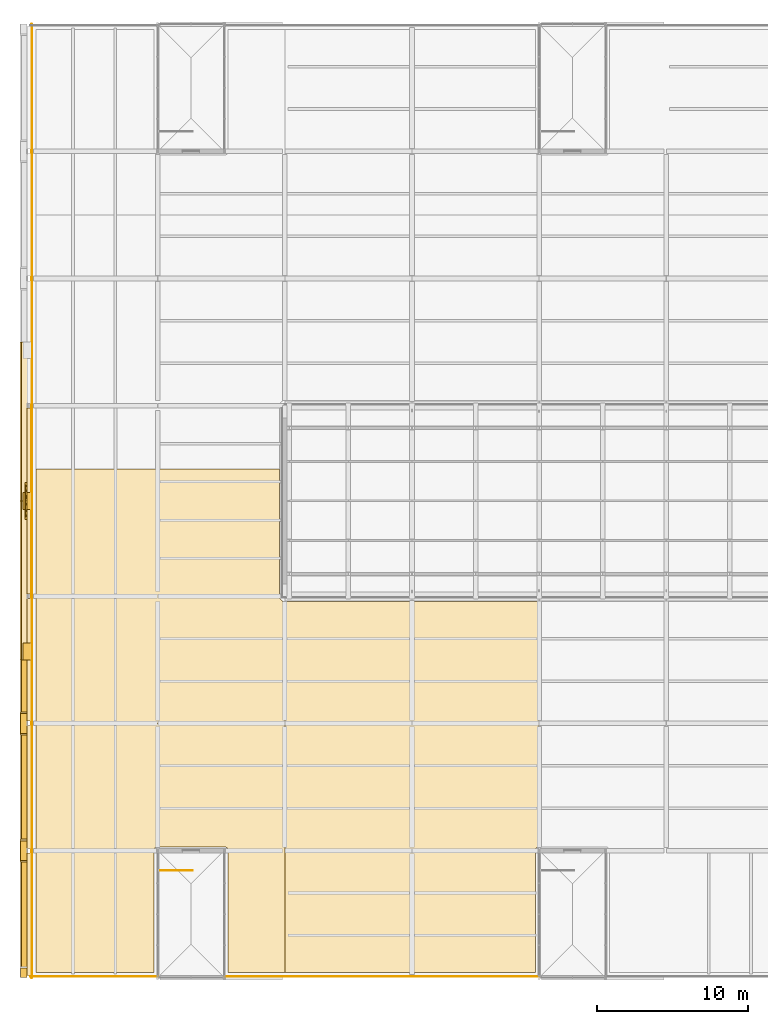
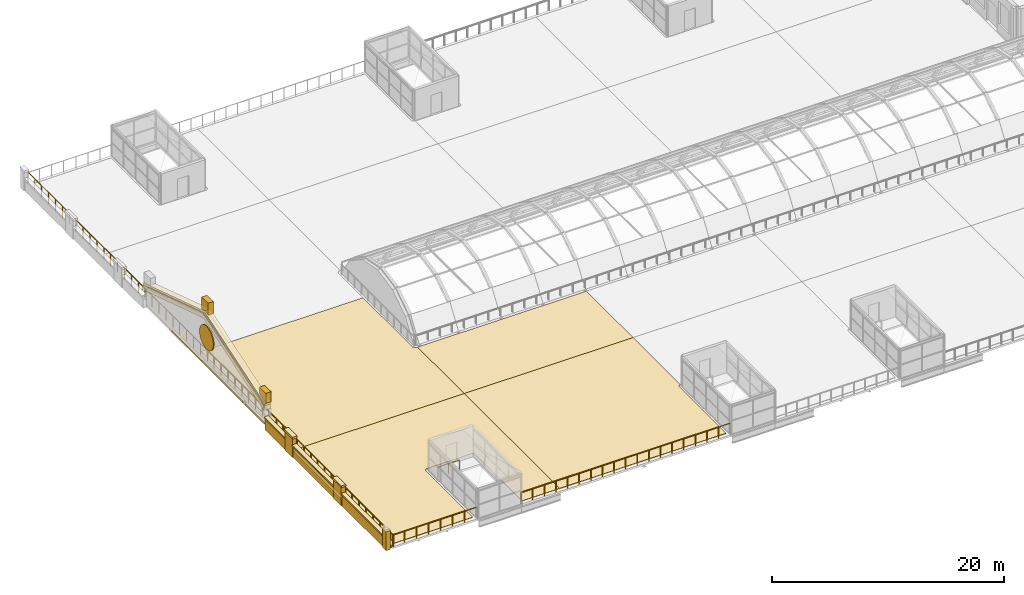
# One storey, part 50 of 58: 24 coverings, 4 railings.
"""IFC4 building model written with IfcOpenShell, lengths in metres."""

import ifcopenshell
import ifcopenshell.guid

model = None  # the IFC model being written
_history = None  # IfcOwnerHistory: only IFC2X3 demands one
_inside = {}  # id of a spatial element -> (the spatial element, [elements in it])
_under = {}  # id of a project, library or spatial element -> (it, [spatial elements below it])
_declared = {}  # id of a project -> (the project, [libraries it declares])
_typed = {}  # id of a type object -> (the type object, [elements of that type])
_made_of = {}  # id of a material, layer set ... -> (it, [elements and type objects made of it])


def new_model(schema):
    """Start an empty IFC model of exactly this schema.

    Asked for "IFC4X3", IfcOpenShell would pick the latest addendum, in which some entities
    have other attributes; the version numbers below select the first issue.
    IFC2X3 requires an IfcOwnerHistory on every rooted entity: one is made here for all.
    """
    global model, _history
    if schema == "IFC4X3":
        model = ifcopenshell.file(schema_version=(4, 3, 0, 0))
    else:
        model = ifcopenshell.file(schema=schema)
    _inside.clear()
    _under.clear()
    _declared.clear()
    _typed.clear()
    _made_of.clear()
    _history = None
    if model.schema == "IFC2X3":
        org = make("IfcOrganization", Name="unknown")
        user = make(
            "IfcPersonAndOrganization",
            ThePerson=make("IfcPerson", FamilyName="unknown"),
            TheOrganization=org,
        )
        app = make(
            "IfcApplication",
            ApplicationDeveloper=org,
            Version="unknown",
            ApplicationFullName="unknown",
            ApplicationIdentifier="unknown",
        )
        _history = make(
            "IfcOwnerHistory",
            OwningUser=user,
            OwningApplication=app,
            ChangeAction="ADDED",
            CreationDate=0,
        )
    return model


def make(cls, **values):
    """One entity of the class cls with the attributes given. An attribute that is None is left unset."""
    return model.create_entity(
        cls, **{name: value for name, value in values.items() if value is not None}
    )


def rooted(cls, **values):
    """An entity with a GlobalId (a new one), such as an element, a storey or a relation."""
    return make(cls, GlobalId=ifcopenshell.guid.new(), OwnerHistory=_history, **values)


def si_unit(unit_type, name, prefix=None):
    """IfcSIUnit, for example si_unit("LENGTHUNIT", "METRE", prefix="MILLI")."""
    return make("IfcSIUnit", UnitType=unit_type, Prefix=prefix, Name=name)


def assignment(units):
    """IfcUnitAssignment: the units of a project."""
    return None if units is None else make("IfcUnitAssignment", Units=units)


def point(xyz):
    """IfcCartesianPoint."""
    return None if xyz is None else make("IfcCartesianPoint", Coordinates=xyz)


def direction(xyz):
    """IfcDirection."""
    return None if xyz is None else make("IfcDirection", DirectionRatios=xyz)


def frame(location, z_axis=None, x_axis=None):
    """IfcAxis2Placement3D, a coordinate frame: its origin and axes. An axis left out is left unset."""
    return make(
        "IfcAxis2Placement3D",
        Location=point(location),
        Axis=direction(z_axis),
        RefDirection=direction(x_axis),
    )


def frame_2d(location, x_axis=None):
    """IfcAxis2Placement2D, a coordinate frame in the plane: its origin and x axis."""
    return make(
        "IfcAxis2Placement2D", Location=point(location), RefDirection=direction(x_axis)
    )


def origin():
    """The frame at (0, 0, 0) with its axes left unset."""
    return frame((0.0, 0.0, 0.0))


def origin_2d():
    """The frame at (0, 0) in the plane with its x axis left unset."""
    return frame_2d((0.0, 0.0))


def place(relative_to, where):
    """IfcLocalPlacement: puts the frame where relative to a parent placement (None: the world)."""
    return make(
        "IfcLocalPlacement", PlacementRelTo=relative_to, RelativePlacement=where
    )


def context(
    kind, dimensions, precision=None, world=None, true_north=None, identifier=None
):
    """IfcGeometricRepresentationContext, for example the 3D "Model" context."""
    return make(
        "IfcGeometricRepresentationContext",
        ContextIdentifier=identifier,
        ContextType=kind,
        CoordinateSpaceDimension=dimensions,
        Precision=precision,
        WorldCoordinateSystem=world,
        TrueNorth=true_north,
    )


def subcontext(parent, identifier, kind, view, scale=None):
    """IfcGeometricRepresentationSubContext, for example "Body" below "Model"."""
    return make(
        "IfcGeometricRepresentationSubContext",
        ContextIdentifier=identifier,
        ContextType=kind,
        ParentContext=parent,
        TargetScale=scale,
        TargetView=view,
    )


def project(units=None, contexts=None):
    """IfcProject with its units and contexts."""
    return rooted(
        "IfcProject",
        Name="project",
        RepresentationContexts=contexts,
        UnitsInContext=assignment(units),
    )


def spatial(cls, under=None, at=None, **own):
    """A site, building, storey or space (cls), placed at a placement, below another one or the project."""
    s = rooted(cls, ObjectPlacement=at, **own)
    if under is not None:
        _under.setdefault(under.id(), (under, []))[1].append(s)
    return s


def polyline(points):
    """IfcPolyline through the points."""
    return make("IfcPolyline", Points=[point(p) for p in points])


def profile(cls, at=None, kind="AREA", **sizes):
    """A parametric profile (cls). Its sizes go by their IFC names, for example OverallWidth=200.0."""
    return make(cls, ProfileType=kind, Position=at, **sizes)


def rectangle(**sizes):
    """IfcRectangleProfileDef."""
    return profile("IfcRectangleProfileDef", **sizes)


def circle(**sizes):
    """IfcCircleProfileDef."""
    return profile("IfcCircleProfileDef", **sizes)


def outline(outer, holes=None, kind="AREA"):
    """IfcArbitraryClosedProfileDef: a profile drawn as a closed curve; with holes, ...WithVoids."""
    if holes is None:
        return make("IfcArbitraryClosedProfileDef", ProfileType=kind, OuterCurve=outer)
    return make(
        "IfcArbitraryProfileDefWithVoids",
        ProfileType=kind,
        OuterCurve=outer,
        InnerCurves=holes,
    )


def extrude(swept, where, along, depth):
    """IfcExtrudedAreaSolid: the profile swept, set in the frame where, extruded along a direction by depth."""
    return make(
        "IfcExtrudedAreaSolid",
        SweptArea=swept,
        Position=where,
        ExtrudedDirection=direction(along),
        Depth=depth,
    )


def shape(context_of_items, identifier, shape_type, items):
    """IfcShapeRepresentation: the items that make up one representation, for example the "Body"."""
    return make(
        "IfcShapeRepresentation",
        ContextOfItems=context_of_items,
        RepresentationIdentifier=identifier,
        RepresentationType=shape_type,
        Items=items,
    )


def material(Name=None, Category=None):
    """IfcMaterial."""
    return make("IfcMaterial", Name=Name, Category=Category)


def layer(
    of_material, thickness, ventilated=None, Name=None, Category=None, Priority=None
):
    """IfcMaterialLayer: one layer of a wall or slab, of a material (None: an air gap)."""
    return make(
        "IfcMaterialLayer",
        Material=of_material,
        LayerThickness=thickness,
        IsVentilated=ventilated,
        Name=Name,
        Category=Category,
        Priority=Priority,
    )


def layer_set(layers, Name=None):
    """IfcMaterialLayerSet."""
    return make("IfcMaterialLayerSet", MaterialLayers=layers, LayerSetName=Name)


def made_of(thing, what):
    """Note that an element or type object is made of a material, layer set ...; save() writes the relation."""
    if what is not None:
        _made_of.setdefault(what.id(), (what, []))[1].append(thing)
    return thing


def type_object(cls, material=None, **own):
    """A type object (cls), such as IfcWallType, which elements share."""
    return made_of(rooted(cls, **own), material)


def element(
    cls,
    number,
    at=None,
    inside=None,
    cuts=None,
    type_object=None,
    material=None,
    context=None,
    identifier="Body",
    shape_type=None,
    held_by="IfcProductDefinitionShape",
    body=None,
    shapes=None,
    **own,
):
    """One element of the class cls, such as IfcWall. Its Tag is "e" and its number.

    at: its placement. inside: the storey or other place that contains it. cuts: it is an
    opening in that element (IfcRelVoidsElement). A single representation is given by context,
    identifier, shape_type and body (its items); several are given by shapes. held_by: the class
    of the entity that holds the representations. save() writes the other relations.
    """
    e = rooted(cls, Tag="e%d" % number, ObjectPlacement=at, **own)
    if body is not None:
        shapes = [shape(context, identifier, shape_type, body)]
    if shapes is not None:
        e.Representation = make(held_by, Representations=shapes)
    if inside is not None:
        _inside.setdefault(inside.id(), (inside, []))[1].append(e)
    if cuts is not None:
        rooted(
            "IfcRelVoidsElement", RelatingBuildingElement=cuts, RelatedOpeningElement=e
        )
    if type_object is not None:
        _typed.setdefault(type_object.id(), (type_object, []))[1].append(e)
    return made_of(e, material)


def aggregate(whole, parts):
    """IfcRelAggregates: a whole, such as a stair, and the parts it consists of."""
    return rooted("IfcRelAggregates", RelatingObject=whole, RelatedObjects=parts)


def save(model, path):
    """Write the relations noted so far, then the file.

    IfcRelAggregates (storeys below a building ...), IfcRelContainedInSpatialStructure (elements
    in a storey), IfcRelDefinesByType, IfcRelAssociatesMaterial and IfcRelDeclares: one each for
    every whole, place, type object, material and project.
    """
    for whole, parts in _under.values():
        aggregate(whole, parts)
    for where, things in _inside.values():
        rooted(
            "IfcRelContainedInSpatialStructure",
            RelatedElements=things,
            RelatingStructure=where,
        )
    for kind, things in _typed.values():
        rooted("IfcRelDefinesByType", RelatedObjects=things, RelatingType=kind)
    for what, things in _made_of.values():
        rooted("IfcRelAssociatesMaterial", RelatedObjects=things, RelatingMaterial=what)
    for by, libraries in _declared.values():
        rooted("IfcRelDeclares", RelatingContext=by, RelatedDefinitions=libraries)
    model.write(path)


model = new_model("IFC4")

# Units and contexts
model_context = context("Model", 3, precision=1e-05, world=origin(), true_north=direction((0.0, 1.0)))
body_context = subcontext(model_context, "Body", "Model", "MODEL_VIEW")
ifc_project = project(units=[si_unit("LENGTHUNIT", "METRE"), si_unit("AREAUNIT", "SQUARE_METRE"), si_unit("VOLUMEUNIT", "CUBIC_METRE"), si_unit("PLANEANGLEUNIT", "RADIAN"), si_unit("MASSUNIT", "GRAM", prefix="KILO")], contexts=[model_context])

# Site, building, storey
site_placement = place(None, origin())
site = spatial("IfcSite", under=ifc_project, at=site_placement, CompositionType="ELEMENT")
building_placement = place(site_placement, origin())
building = spatial("IfcBuilding", under=site, at=building_placement, Name="Galleria Vessillo Department Store", CompositionType="ELEMENT")
storey_placement = place(building_placement, frame((0.0, 0.0, 31.199951171875)))
storey = spatial("IfcBuildingStorey", under=building, at=storey_placement, Name="L06", CompositionType="ELEMENT", Elevation=31.199951171875)

# Coverings
ifc_material_1 = material(Name="Botticino limestone ashlar", Category="masonry")
ifc_layer_1 = layer(ifc_material_1, 0.530029296875)
ifc_layer_set_1 = layer_set([ifc_layer_1], Name="Botticino limestone ashlar")
covering_type_1 = type_object("IfcCoveringType", Name="Limestone acroterion block 1100 x 530", PredefinedType="CLADDING", material=ifc_layer_set_1)
covering_1_placement = place(storey_placement, frame((-0.5, 0.0, 0.0), z_axis=(1.0, 0.0, 0.0), x_axis=(0.0, 1.0, 0.0)))
element("IfcCovering", 1, at=covering_1_placement, inside=storey, type_object=covering_type_1, Name="Acroterion West Street pediment apex", PredefinedType="CLADDING", context=body_context, shape_type="SweptSolid", body=[
    extrude(outline(polyline([(30.949951171875, 5.721923828125), (31.5, 5.89990234375), (32.050048828125, 5.721923828125), (32.050048828125, 7.0), (30.949951171875, 7.0), (30.949951171875, 5.721923828125)])), origin(), (0.0, 0.0, 1.0), 0.530029296875),
])
covering_2_placement = place(storey_placement, frame((-0.5, 0.0, 0.0), z_axis=(1.0, 0.0, 0.0), x_axis=(0.0, 1.0, 0.0)))
element("IfcCovering", 2, at=covering_2_placement, inside=storey, type_object=covering_type_1, Name="Acroterion West Street pediment corner S", PredefinedType="CLADDING", context=body_context, shape_type="SweptSolid", body=[
    extrude(outline(polyline([(21.0, 2.5), (22.10009765625, 2.856201171875), (22.10009765625, 3.55615234375), (21.0, 3.55615234375), (21.0, 2.5)])), origin(), (0.0, 0.0, 1.0), 0.530029296875),
])
ifc_material_2 = material(Name="Botticino limestone ashlar", Category="masonry")
ifc_layer_2 = layer(ifc_material_2, 0.409912109375)
ifc_layer_set_2 = layer_set([ifc_layer_2], Name="Botticino limestone ashlar")
covering_type_2 = type_object("IfcCoveringType", Name="Limestone attic pier 1300 x 410 x 2000", PredefinedType="CLADDING", material=ifc_layer_set_2)
covering_3_placement = place(storey_placement, frame((-0.455078125, 0.324951171875, -0.199951171875), z_axis=(0.0, 0.0, 1.0), x_axis=(1.0, 0.0, 0.0)))
element("IfcCovering", 3, at=covering_3_placement, inside=storey, type_object=covering_type_2, Name="Attic pier W y=0.0", PredefinedType="CLADDING", context=body_context, shape_type="SweptSolid", body=[
    extrude(rectangle(XDim=0.409912109375, YDim=0.64990234375, at=origin_2d()), origin(), (0.0, 0.0, 1.0), 2.0),
])
for number, where, z_axis, x_axis, name in (
    (4, (-0.455078125, 8.39990234375, -0.199951171875), (0.0, 0.0, 1.0), (1.0, 0.0, 0.0), "Attic pier W y=8.4"),
    (5, (-0.455078125, 16.800048828125, -0.199951171875), (0.0, 0.0, 1.0), (1.0, 0.0, 0.0), "Attic pier W y=16.8"),
):
    element("IfcCovering", number, at=place(storey_placement, frame(where, z_axis=z_axis, x_axis=x_axis)), inside=storey, type_object=covering_type_2, Name=name, PredefinedType="CLADDING", context=body_context, shape_type="SweptSolid", body=[
        extrude(rectangle(XDim=0.409912109375, YDim=1.300048828125, at=origin_2d()), origin(), (0.0, 0.0, 1.0), 2.0),
    ])
ifc_material_3 = material(Name="Botticino limestone ashlar", Category="masonry")
ifc_layer_3 = layer(ifc_material_3, 0.35009765625)
ifc_layer_set_3 = layer_set([ifc_layer_3], Name="Botticino limestone ashlar")
covering_type_3 = type_object("IfcCoveringType", Name="Limestone blocking course 350 x 1200", PredefinedType="CLADDING", material=ifc_layer_set_3)
covering_4_placement = place(storey_placement, frame((-0.425048828125, 4.199951171875, -0.19970703125), z_axis=(0.0, 0.0, 1.0), x_axis=(1.0, 0.0, 0.0)))
element("IfcCovering", 6, at=covering_4_placement, inside=storey, type_object=covering_type_3, Name="Blocking course W y=0.7-7.7", PredefinedType="CLADDING", context=body_context, shape_type="SweptSolid", body=[
    extrude(rectangle(XDim=0.35009765625, YDim=7.099853515625, at=origin_2d()), origin(), (0.0, 0.0, 1.0), 1.199951171875),
])
covering_5_placement = place(storey_placement, frame((-0.425048828125, 12.599853515625, -0.19970703125), z_axis=(0.0, 0.0, 1.0), x_axis=(1.0, 0.0, 0.0)))
element("IfcCovering", 7, at=covering_5_placement, inside=storey, type_object=covering_type_3, Name="Blocking course W y=9.0-16.2", PredefinedType="CLADDING", context=body_context, shape_type="SweptSolid", body=[
    extrude(rectangle(XDim=0.35009765625, YDim=7.10009765625, at=origin_2d()), origin(), (0.0, 0.0, 1.0), 1.199951171875),
])
covering_6_placement = place(storey_placement, frame((-0.425048828125, 19.22509765625, -0.19970703125), z_axis=(0.0, 0.0, 1.0), x_axis=(1.0, 0.0, 0.0)))
element("IfcCovering", 8, at=covering_6_placement, inside=storey, type_object=covering_type_3, Name="Blocking course W y=17.4-21.0", PredefinedType="CLADDING", context=body_context, shape_type="SweptSolid", body=[
    extrude(rectangle(XDim=0.35009765625, YDim=3.550048828125, at=origin_2d()), origin(), (0.0, 0.0, 1.0), 1.199951171875),
])
ifc_material_4 = material(Name="Botticino limestone ashlar", Category="masonry")
ifc_layer_4 = layer(ifc_material_4, 0.429931640625)
ifc_layer_set_4 = layer_set([ifc_layer_4], Name="Botticino limestone ashlar")
covering_type_4 = type_object("IfcCoveringType", Name="Limestone blocking course cap 430 x 150", PredefinedType="MOLDING", material=ifc_layer_set_4)
covering_7_placement = place(storey_placement, frame((-0.465087890625, 4.199951171875, 1.0), z_axis=(0.0, 0.0, 1.0), x_axis=(1.0, 0.0, 0.0)))
element("IfcCovering", 9, at=covering_7_placement, inside=storey, type_object=covering_type_4, Name="Blocking course cap W y=0.7-7.7", PredefinedType="MOLDING", context=body_context, shape_type="SweptSolid", body=[
    extrude(rectangle(XDim=0.429931640625, YDim=7.099853515625, at=origin_2d()), origin(), (0.0, 0.0, 1.0), 0.14990234375),
])
covering_8_placement = place(storey_placement, frame((-0.465087890625, 12.599853515625, 1.0), z_axis=(0.0, 0.0, 1.0), x_axis=(1.0, 0.0, 0.0)))
element("IfcCovering", 10, at=covering_8_placement, inside=storey, type_object=covering_type_4, Name="Blocking course cap W y=9.0-16.2", PredefinedType="MOLDING", context=body_context, shape_type="SweptSolid", body=[
    extrude(rectangle(XDim=0.429931640625, YDim=7.10009765625, at=origin_2d()), origin(), (0.0, 0.0, 1.0), 0.14990234375),
])
covering_9_placement = place(storey_placement, frame((-0.465087890625, 19.22509765625, 1.0), z_axis=(0.0, 0.0, 1.0), x_axis=(1.0, 0.0, 0.0)))
element("IfcCovering", 11, at=covering_9_placement, inside=storey, type_object=covering_type_4, Name="Blocking course cap W y=17.4-21.0", PredefinedType="MOLDING", context=body_context, shape_type="SweptSolid", body=[
    extrude(rectangle(XDim=0.429931640625, YDim=3.550048828125, at=origin_2d()), origin(), (0.0, 0.0, 1.0), 0.14990234375),
])
ifc_material_5 = material(Name="Botticino limestone ashlar", Category="masonry")
ifc_layer_5 = layer(ifc_material_5, 0.449951171875)
ifc_layer_set_5 = layer_set([ifc_layer_5], Name="Botticino limestone ashlar")
covering_type_5 = type_object("IfcCoveringType", Name="Limestone pier cap 1500 x 450 x 200", PredefinedType="MOLDING", material=ifc_layer_set_5)
for number, where, z_axis, x_axis, name in (
    (12, (-0.47509765625, 8.39990234375, 1.80029296875), (0.0, 0.0, 1.0), (1.0, 0.0, 0.0), "Attic pier cap W y=8.4"),
    (13, (-0.47509765625, 16.800048828125, 1.80029296875), (0.0, 0.0, 1.0), (1.0, 0.0, 0.0), "Attic pier cap W y=16.8"),
):
    element("IfcCovering", number, at=place(storey_placement, frame(where, z_axis=z_axis, x_axis=x_axis)), inside=storey, type_object=covering_type_5, Name=name, PredefinedType="MOLDING", context=body_context, shape_type="SweptSolid", body=[
        extrude(rectangle(XDim=0.449951171875, YDim=1.5, at=origin_2d()), origin(), (0.0, 0.0, 1.0), 0.199951171875),
    ])
ifc_material_6 = material(Name="Botticino limestone ashlar", Category="masonry")
ifc_layer_6 = layer(ifc_material_6, 0.6298828125)
ifc_layer_set_6 = layer_set([ifc_layer_6], Name="Botticino limestone ashlar")
covering_type_6 = type_object("IfcCoveringType", Name="Limestone raking cap moulding 630 x 200", PredefinedType="MOLDING", material=ifc_layer_set_6)
covering_10_placement = place(storey_placement, frame((-0.60009765625, 0.0, 0.0), z_axis=(1.0, 0.0, 0.0), x_axis=(0.0, 1.0, 0.0)))
element("IfcCovering", 14, at=covering_10_placement, inside=storey, type_object=covering_type_6, Name="Raking cap moulding West Street pediment", PredefinedType="MOLDING", context=body_context, shape_type="SweptSolid", body=[
    extrude(outline(polyline([(21.0, 2.300048828125), (31.5, 5.699951171875), (42.0, 2.300048828125), (42.0, 2.5), (31.5, 5.89990234375), (21.0, 2.5), (21.0, 2.300048828125)])), origin(), (0.0, 0.0, 1.0), 0.6298828125),
])
ifc_material_7 = material(Name="Botticino limestone ashlar", Category="masonry")
ifc_layer_7 = layer(ifc_material_7, 0.719970703125)
ifc_layer_set_7 = layer_set([ifc_layer_7], Name="Botticino limestone ashlar")
covering_type_7 = type_object("IfcCoveringType", Name="Limestone raking cornice 720 x 500", PredefinedType="MOLDING", material=ifc_layer_set_7)
covering_11_placement = place(storey_placement, frame((-0.68994140625, 0.0, 0.0), z_axis=(1.0, 0.0, 0.0), x_axis=(0.0, 1.0, 0.0)))
element("IfcCovering", 15, at=covering_11_placement, inside=storey, type_object=covering_type_7, Name="Raking cornice West Street pediment", PredefinedType="MOLDING", context=body_context, shape_type="SweptSolid", body=[
    extrude(outline(polyline([(21.0, 1.800048828125), (31.5, 5.199951171875), (42.0, 1.800048828125), (42.0, 2.300048828125), (31.5, 5.699951171875), (21.0, 2.300048828125), (21.0, 1.800048828125)])), origin(), (0.0, 0.0, 1.0), 0.719970703125),
])
ifc_material_8 = material(Name="Botticino limestone ashlar", Category="masonry")
ifc_layer_8 = layer(ifc_material_8, 0.14990234375)
ifc_layer_set_8 = layer_set([ifc_layer_8], Name="Botticino limestone ashlar")
covering_type_8 = type_object("IfcCoveringType", Name="Limestone slab-edge fascia 150 mm", PredefinedType="CLADDING", material=ifc_layer_set_8)
covering_12_placement = place(storey_placement, frame((-0.125, 4.199951171875, -0.19970703125), z_axis=(0.0, 0.0, 1.0), x_axis=(1.0, 0.0, 0.0)))
element("IfcCovering", 16, at=covering_12_placement, inside=storey, type_object=covering_type_8, Name="Slab-edge fascia SW-L05-01", PredefinedType="CLADDING", context=body_context, shape_type="SweptSolid", body=[
    extrude(rectangle(XDim=0.25, YDim=8.099853515625, at=origin_2d()), origin(), (0.0, 0.0, 1.0), 0.199951171875),
])
covering_13_placement = place(storey_placement, frame((-0.125, 12.60009765625, -0.19970703125), z_axis=(0.0, 0.0, 1.0), x_axis=(1.0, 0.0, 0.0)))
element("IfcCovering", 17, at=covering_13_placement, inside=storey, type_object=covering_type_8, Name="Slab-edge fascia SW-L05-02", PredefinedType="CLADDING", context=body_context, shape_type="SweptSolid", body=[
    extrude(rectangle(XDim=0.25, YDim=8.10009765625, at=origin_2d()), origin(), (0.0, 0.0, 1.0), 0.199951171875),
])
covering_14_placement = place(storey_placement, frame((-0.125, 21.0, -0.19970703125), z_axis=(0.0, 0.0, 1.0), x_axis=(1.0, 0.0, 0.0)))
element("IfcCovering", 18, at=covering_14_placement, inside=storey, type_object=covering_type_8, Name="Slab-edge fascia SW-L05-03", PredefinedType="CLADDING", context=body_context, shape_type="SweptSolid", body=[
    extrude(rectangle(XDim=0.25, YDim=8.099853515625, at=origin_2d()), origin(), (0.0, 0.0, 1.0), 0.199951171875),
])
covering_15_placement = place(storey_placement, frame((-0.125, 31.5, -0.19970703125), z_axis=(0.0, 0.0, 1.0), x_axis=(1.0, 0.0, 0.0)))
element("IfcCovering", 19, at=covering_15_placement, inside=storey, type_object=covering_type_8, Name="Slab-edge fascia SW-L05-04", PredefinedType="CLADDING", context=body_context, shape_type="SweptSolid", body=[
    extrude(rectangle(XDim=0.25, YDim=12.300048828125, at=origin_2d()), origin(), (0.0, 0.0, 1.0), 0.199951171875),
])
ifc_material_9 = material(Name="Botticino limestone ashlar", Category="masonry")
ifc_layer_9 = layer(ifc_material_9, 0.10009765625)
ifc_layer_set_9 = layer_set([ifc_layer_9], Name="Botticino limestone ashlar")
covering_type_9 = type_object("IfcCoveringType", Name="Limestone tympanum roundel 100 mm", PredefinedType="USERDEFINED", material=ifc_layer_set_9)
covering_16_placement = place(storey_placement, frame((-0.25, 0.0, 0.0), z_axis=(-1.0, 0.0, 0.0), x_axis=(0.0, -1.0, 0.0)))
element("IfcCovering", 20, at=covering_16_placement, inside=storey, type_object=covering_type_9, Name="Tympanum roundel West Street pediment", ObjectType="TYMPANUM ROUNDEL", PredefinedType="USERDEFINED", context=body_context, shape_type="SweptSolid", body=[
    extrude(outline(polyline([(-32.699951171875, 3.0), (-32.677001953125, 3.234130859375), (-32.608642578125, 3.459228515625), (-32.497802734375, 3.666748046875), (-32.348388671875, 3.848388671875), (-32.166748046875, 3.997802734375), (-31.959228515625, 4.108642578125), (-31.734130859375, 4.177001953125), (-31.5, 4.199951171875), (-31.265869140625, 4.177001953125), (-31.040771484375, 4.108642578125), (-30.833251953125, 3.997802734375), (-30.651611328125, 3.848388671875), (-30.502197265625, 3.666748046875), (-30.391357421875, 3.459228515625), (-30.322998046875, 3.234130859375), (-30.300048828125, 3.0), (-30.322998046875, 2.765869140625), (-30.391357421875, 2.540771484375), (-30.502197265625, 2.333251953125), (-30.651611328125, 2.151611328125), (-30.833251953125, 2.002197265625), (-31.040771484375, 1.891357421875), (-31.265869140625, 1.822998046875), (-31.5, 1.800048828125), (-31.734130859375, 1.822998046875), (-31.959228515625, 1.891357421875), (-32.166748046875, 2.002197265625), (-32.348388671875, 2.151611328125), (-32.497802734375, 2.333251953125), (-32.608642578125, 2.540771484375), (-32.677001953125, 2.765869140625), (-32.699951171875, 3.0)])), origin(), (0.0, 0.0, 1.0), 0.10009765625),
])

# Railings
ifc_material_10 = material(Name="Limestone ashlar balusters", Category="masonry")
railing_type_1 = type_object("IfcRailingType", Name="Podium roof balustrade 1200 mm", PredefinedType="BALUSTRADE", material=ifc_material_10)
railing_1_placement = place(storey_placement, frame((0.0, 0.080078125, 0.0)))
element("IfcRailing", 21, at=railing_1_placement, inside=storey, type_object=railing_type_1, Name="Podium roof balustrade L06-01", PredefinedType="BALUSTRADE", context=body_context, shape_type="SweptSolid", body=[
    extrude(circle(Radius=0.02392578125, at=origin_2d()), frame((0.0, 0.0, 1.17578125), z_axis=(1.0, 0.0, 0.0), x_axis=(0.0, 1.0, 0.0)), (0.0, 0.0, 1.0), 8.39990234375),
    extrude(circle(Radius=0.02099609375, at=origin_2d()), origin(), (0.0, 0.0, 1.0), 1.15185546875),
    extrude(circle(Radius=0.02099609375, at=origin_2d()), frame((1.199951171875, 0.0, 0.0)), (0.0, 0.0, 1.0), 1.15185546875),
    extrude(circle(Radius=0.02099609375, at=origin_2d()), frame((2.39990234375, 0.0, 0.0)), (0.0, 0.0, 1.0), 1.15185546875),
    extrude(circle(Radius=0.02099609375, at=origin_2d()), frame((3.599853515625, 0.0, 0.0)), (0.0, 0.0, 1.0), 1.15185546875),
    extrude(circle(Radius=0.02099609375, at=origin_2d()), frame((4.800048828125, 0.0, 0.0)), (0.0, 0.0, 1.0), 1.15185546875),
    extrude(circle(Radius=0.02099609375, at=origin_2d()), frame((6.0, 0.0, 0.0)), (0.0, 0.0, 1.0), 1.15185546875),
    extrude(circle(Radius=0.02099609375, at=origin_2d()), frame((7.199951171875, 0.0, 0.0)), (0.0, 0.0, 1.0), 1.15185546875),
    extrude(circle(Radius=0.02099609375, at=origin_2d()), frame((8.39990234375, 0.0, 0.0)), (0.0, 0.0, 1.0), 1.15185546875),
])
railing_2_placement = place(storey_placement, frame((12.800048828125, 0.080078125, 0.0)))
element("IfcRailing", 22, at=railing_2_placement, inside=storey, type_object=railing_type_1, Name="Podium roof balustrade L06-02", PredefinedType="BALUSTRADE", context=body_context, shape_type="SweptSolid", body=[
    extrude(circle(Radius=0.02392578125, at=origin_2d()), frame((0.0, 0.0, 1.17578125), z_axis=(1.0, 0.0, 0.0), x_axis=(0.0, 1.0, 0.0)), (0.0, 0.0, 1.0), 20.800048828125),
    extrude(circle(Radius=0.02099609375, at=origin_2d()), origin(), (0.0, 0.0, 1.0), 1.15185546875),
    extrude(circle(Radius=0.02099609375, at=origin_2d()), frame((1.155517578125, 0.0, 0.0)), (0.0, 0.0, 1.0), 1.15185546875),
    extrude(circle(Radius=0.02099609375, at=origin_2d()), frame((2.31103515625, 0.0, 0.0)), (0.0, 0.0, 1.0), 1.15185546875),
    extrude(circle(Radius=0.02099609375, at=origin_2d()), frame((3.466796875, 0.0, 0.0)), (0.0, 0.0, 1.0), 1.15185546875),
    extrude(circle(Radius=0.02099609375, at=origin_2d()), frame((4.622314453125, 0.0, 0.0)), (0.0, 0.0, 1.0), 1.15185546875),
    extrude(circle(Radius=0.02099609375, at=origin_2d()), frame((5.77783203125, 0.0, 0.0)), (0.0, 0.0, 1.0), 1.15185546875),
    extrude(circle(Radius=0.02099609375, at=origin_2d()), frame((6.933349609375, 0.0, 0.0)), (0.0, 0.0, 1.0), 1.15185546875),
    extrude(circle(Radius=0.02099609375, at=origin_2d()), frame((8.0888671875, 0.0, 0.0)), (0.0, 0.0, 1.0), 1.15185546875),
    extrude(circle(Radius=0.02099609375, at=origin_2d()), frame((9.244384765625, 0.0, 0.0)), (0.0, 0.0, 1.0), 1.15185546875),
    extrude(circle(Radius=0.02099609375, at=origin_2d()), frame((10.39990234375, 0.0, 0.0)), (0.0, 0.0, 1.0), 1.15185546875),
    extrude(circle(Radius=0.02099609375, at=origin_2d()), frame((11.5556640625, 0.0, 0.0)), (0.0, 0.0, 1.0), 1.15185546875),
    extrude(circle(Radius=0.02099609375, at=origin_2d()), frame((12.711181640625, 0.0, 0.0)), (0.0, 0.0, 1.0), 1.15185546875),
    extrude(circle(Radius=0.02099609375, at=origin_2d()), frame((13.86669921875, 0.0, 0.0)), (0.0, 0.0, 1.0), 1.15185546875),
    extrude(circle(Radius=0.02099609375, at=origin_2d()), frame((15.022216796875, 0.0, 0.0)), (0.0, 0.0, 1.0), 1.15185546875),
    extrude(circle(Radius=0.02099609375, at=origin_2d()), frame((16.177734375, 0.0, 0.0)), (0.0, 0.0, 1.0), 1.15185546875),
    extrude(circle(Radius=0.02099609375, at=origin_2d()), frame((17.33349609375, 0.0, 0.0)), (0.0, 0.0, 1.0), 1.15185546875),
    extrude(circle(Radius=0.02099609375, at=origin_2d()), frame((18.489013671875, 0.0, 0.0)), (0.0, 0.0, 1.0), 1.15185546875),
    extrude(circle(Radius=0.02099609375, at=origin_2d()), frame((19.64453125, 0.0, 0.0)), (0.0, 0.0, 1.0), 1.15185546875),
    extrude(circle(Radius=0.02099609375, at=origin_2d()), frame((20.800048828125, 0.0, 0.0)), (0.0, 0.0, 1.0), 1.15185546875),
])
railing_3_placement = place(storey_placement, frame((0.080078125, 0.0, 0.0)))
element("IfcRailing", 23, at=railing_3_placement, inside=storey, type_object=railing_type_1, Name="Podium roof balustrade L06-06", PredefinedType="BALUSTRADE", context=body_context, shape_type="SweptSolid", body=[
    extrude(circle(Radius=0.02392578125, at=origin_2d()), frame((0.0, 0.0, 1.17578125), z_axis=(0.0, 1.0, 0.0), x_axis=(-1.0, 0.0, 0.0)), (0.0, 0.0, 1.0), 63.0),
    extrude(circle(Radius=0.02099609375, at=origin_2d()), origin(), (0.0, 0.0, 1.0), 1.15185546875),
    extrude(circle(Radius=0.02099609375, at=origin_2d()), frame((0.0, 1.188720703125, 0.0)), (0.0, 0.0, 1.0), 1.15185546875),
    extrude(circle(Radius=0.02099609375, at=origin_2d()), frame((0.0, 2.37744140625, 0.0)), (0.0, 0.0, 1.0), 1.15185546875),
    extrude(circle(Radius=0.02099609375, at=origin_2d()), frame((0.0, 3.56591796875, 0.0)), (0.0, 0.0, 1.0), 1.15185546875),
    extrude(circle(Radius=0.02099609375, at=origin_2d()), frame((0.0, 4.754638671875, 0.0)), (0.0, 0.0, 1.0), 1.15185546875),
    extrude(circle(Radius=0.02099609375, at=origin_2d()), frame((0.0, 5.943359375, 0.0)), (0.0, 0.0, 1.0), 1.15185546875),
    extrude(circle(Radius=0.02099609375, at=origin_2d()), frame((0.0, 7.132080078125, 0.0)), (0.0, 0.0, 1.0), 1.15185546875),
    extrude(circle(Radius=0.02099609375, at=origin_2d()), frame((0.0, 8.32080078125, 0.0)), (0.0, 0.0, 1.0), 1.15185546875),
    extrude(circle(Radius=0.02099609375, at=origin_2d()), frame((0.0, 9.509521484375, 0.0)), (0.0, 0.0, 1.0), 1.15185546875),
    extrude(circle(Radius=0.02099609375, at=origin_2d()), frame((0.0, 10.697998046875, 0.0)), (0.0, 0.0, 1.0), 1.15185546875),
    extrude(circle(Radius=0.02099609375, at=origin_2d()), frame((0.0, 11.88671875, 0.0)), (0.0, 0.0, 1.0), 1.15185546875),
    extrude(circle(Radius=0.02099609375, at=origin_2d()), frame((0.0, 13.075439453125, 0.0)), (0.0, 0.0, 1.0), 1.15185546875),
    extrude(circle(Radius=0.02099609375, at=origin_2d()), frame((0.0, 14.26416015625, 0.0)), (0.0, 0.0, 1.0), 1.15185546875),
    extrude(circle(Radius=0.02099609375, at=origin_2d()), frame((0.0, 15.452880859375, 0.0)), (0.0, 0.0, 1.0), 1.15185546875),
    extrude(circle(Radius=0.02099609375, at=origin_2d()), frame((0.0, 16.6416015625, 0.0)), (0.0, 0.0, 1.0), 1.15185546875),
    extrude(circle(Radius=0.02099609375, at=origin_2d()), frame((0.0, 17.830078125, 0.0)), (0.0, 0.0, 1.0), 1.15185546875),
    extrude(circle(Radius=0.02099609375, at=origin_2d()), frame((0.0, 19.018798828125, 0.0)), (0.0, 0.0, 1.0), 1.15185546875),
    extrude(circle(Radius=0.02099609375, at=origin_2d()), frame((0.0, 20.20751953125, 0.0)), (0.0, 0.0, 1.0), 1.15185546875),
    extrude(circle(Radius=0.02099609375, at=origin_2d()), frame((0.0, 21.396240234375, 0.0)), (0.0, 0.0, 1.0), 1.15185546875),
    extrude(circle(Radius=0.02099609375, at=origin_2d()), frame((0.0, 22.5849609375, 0.0)), (0.0, 0.0, 1.0), 1.15185546875),
    extrude(circle(Radius=0.02099609375, at=origin_2d()), frame((0.0, 23.773681640625, 0.0)), (0.0, 0.0, 1.0), 1.15185546875),
    extrude(circle(Radius=0.02099609375, at=origin_2d()), frame((0.0, 24.962158203125, 0.0)), (0.0, 0.0, 1.0), 1.15185546875),
    extrude(circle(Radius=0.02099609375, at=origin_2d()), frame((0.0, 26.15087890625, 0.0)), (0.0, 0.0, 1.0), 1.15185546875),
    extrude(circle(Radius=0.02099609375, at=origin_2d()), frame((0.0, 27.339599609375, 0.0)), (0.0, 0.0, 1.0), 1.15185546875),
    extrude(circle(Radius=0.02099609375, at=origin_2d()), frame((0.0, 28.5283203125, 0.0)), (0.0, 0.0, 1.0), 1.15185546875),
    extrude(circle(Radius=0.02099609375, at=origin_2d()), frame((0.0, 29.717041015625, 0.0)), (0.0, 0.0, 1.0), 1.15185546875),
    extrude(circle(Radius=0.02099609375, at=origin_2d()), frame((0.0, 30.90576171875, 0.0)), (0.0, 0.0, 1.0), 1.15185546875),
    extrude(circle(Radius=0.02099609375, at=origin_2d()), frame((0.0, 32.09423828125, 0.0)), (0.0, 0.0, 1.0), 1.15185546875),
    extrude(circle(Radius=0.02099609375, at=origin_2d()), frame((0.0, 33.282958984375, 0.0)), (0.0, 0.0, 1.0), 1.15185546875),
    extrude(circle(Radius=0.02099609375, at=origin_2d()), frame((0.0, 34.4716796875, 0.0)), (0.0, 0.0, 1.0), 1.15185546875),
    extrude(circle(Radius=0.02099609375, at=origin_2d()), frame((0.0, 35.660400390625, 0.0)), (0.0, 0.0, 1.0), 1.15185546875),
    extrude(circle(Radius=0.02099609375, at=origin_2d()), frame((0.0, 36.84912109375, 0.0)), (0.0, 0.0, 1.0), 1.15185546875),
    extrude(circle(Radius=0.02099609375, at=origin_2d()), frame((0.0, 38.037841796875, 0.0)), (0.0, 0.0, 1.0), 1.15185546875),
    extrude(circle(Radius=0.02099609375, at=origin_2d()), frame((0.0, 39.226318359375, 0.0)), (0.0, 0.0, 1.0), 1.15185546875),
    extrude(circle(Radius=0.02099609375, at=origin_2d()), frame((0.0, 40.4150390625, 0.0)), (0.0, 0.0, 1.0), 1.15185546875),
    extrude(circle(Radius=0.02099609375, at=origin_2d()), frame((0.0, 41.603759765625, 0.0)), (0.0, 0.0, 1.0), 1.15185546875),
    extrude(circle(Radius=0.02099609375, at=origin_2d()), frame((0.0, 42.79248046875, 0.0)), (0.0, 0.0, 1.0), 1.15185546875),
    extrude(circle(Radius=0.02099609375, at=origin_2d()), frame((0.0, 43.981201171875, 0.0)), (0.0, 0.0, 1.0), 1.15185546875),
    extrude(circle(Radius=0.02099609375, at=origin_2d()), frame((0.0, 45.169921875, 0.0)), (0.0, 0.0, 1.0), 1.15185546875),
    extrude(circle(Radius=0.02099609375, at=origin_2d()), frame((0.0, 46.3583984375, 0.0)), (0.0, 0.0, 1.0), 1.15185546875),
    extrude(circle(Radius=0.02099609375, at=origin_2d()), frame((0.0, 47.547119140625, 0.0)), (0.0, 0.0, 1.0), 1.15185546875),
    extrude(circle(Radius=0.02099609375, at=origin_2d()), frame((0.0, 48.73583984375, 0.0)), (0.0, 0.0, 1.0), 1.15185546875),
    extrude(circle(Radius=0.02099609375, at=origin_2d()), frame((0.0, 49.924560546875, 0.0)), (0.0, 0.0, 1.0), 1.15185546875),
    extrude(circle(Radius=0.02099609375, at=origin_2d()), frame((0.0, 51.11328125, 0.0)), (0.0, 0.0, 1.0), 1.15185546875),
    extrude(circle(Radius=0.02099609375, at=origin_2d()), frame((0.0, 52.302001953125, 0.0)), (0.0, 0.0, 1.0), 1.15185546875),
    extrude(circle(Radius=0.02099609375, at=origin_2d()), frame((0.0, 53.490478515625, 0.0)), (0.0, 0.0, 1.0), 1.15185546875),
    extrude(circle(Radius=0.02099609375, at=origin_2d()), frame((0.0, 54.67919921875, 0.0)), (0.0, 0.0, 1.0), 1.15185546875),
    extrude(circle(Radius=0.02099609375, at=origin_2d()), frame((0.0, 55.867919921875, 0.0)), (0.0, 0.0, 1.0), 1.15185546875),
    extrude(circle(Radius=0.02099609375, at=origin_2d()), frame((0.0, 57.056640625, 0.0)), (0.0, 0.0, 1.0), 1.15185546875),
    extrude(circle(Radius=0.02099609375, at=origin_2d()), frame((0.0, 58.245361328125, 0.0)), (0.0, 0.0, 1.0), 1.15185546875),
    extrude(circle(Radius=0.02099609375, at=origin_2d()), frame((0.0, 59.43408203125, 0.0)), (0.0, 0.0, 1.0), 1.15185546875),
    extrude(circle(Radius=0.02099609375, at=origin_2d()), frame((0.0, 60.62255859375, 0.0)), (0.0, 0.0, 1.0), 1.15185546875),
    extrude(circle(Radius=0.02099609375, at=origin_2d()), frame((0.0, 61.811279296875, 0.0)), (0.0, 0.0, 1.0), 1.15185546875),
    extrude(circle(Radius=0.02099609375, at=origin_2d()), frame((0.0, 63.0, 0.0)), (0.0, 0.0, 1.0), 1.15185546875),
])

# Coverings
ifc_material_11 = material(Name="Serizzo granite paving", Category="masonry")
ifc_layer_10 = layer(ifc_material_11, 0.0400390625)
ifc_layer_set_10 = layer_set([ifc_layer_10], Name="Serizzo granite paving")
covering_type_10 = type_object("IfcCoveringType", Name="Serizzo stone terrace paving 40 mm", PredefinedType="FLOORING", material=ifc_layer_set_10)
covering_17_placement = place(storey_placement, origin())
element("IfcCovering", 24, at=covering_17_placement, inside=storey, type_object=covering_type_10, Name="Terrace paving L06 field 1", PredefinedType="FLOORING", context=body_context, shape_type="SweptSolid", body=[
    extrude(outline(polyline([(0.35009765625, 16.800048828125), (16.800048828125, 16.800048828125), (16.800048828125, 0.35009765625), (13.050048828125, 0.35009765625), (13.050048828125, 8.39990234375), (13.048828125, 8.42431640625), (13.045166015625, 8.44873046875), (13.039306640625, 8.472412109375), (13.031005859375, 8.49560546875), (13.0205078125, 8.517822265625), (13.0078125, 8.538818359375), (12.993408203125, 8.55859375), (12.976806640625, 8.57666015625), (12.958740234375, 8.59326171875), (12.93896484375, 8.607666015625), (12.91796875, 8.620361328125), (12.895751953125, 8.630859375), (12.87255859375, 8.63916015625), (12.848876953125, 8.64501953125), (12.824462890625, 8.648681640625), (12.800048828125, 8.64990234375), (12.75, 8.64990234375), (12.75, 8.64990234375), (8.449951171875, 8.64990234375), (8.449951171875, 8.64990234375), (8.39990234375, 8.64990234375), (8.37548828125, 8.648681640625), (8.35107421875, 8.64501953125), (8.327392578125, 8.63916015625), (8.30419921875, 8.630859375), (8.281982421875, 8.620361328125), (8.260986328125, 8.607666015625), (8.2412109375, 8.59326171875), (8.22314453125, 8.57666015625), (8.20654296875, 8.55859375), (8.192138671875, 8.538818359375), (8.179443359375, 8.517822265625), (8.1689453125, 8.49560546875), (8.16064453125, 8.472412109375), (8.15478515625, 8.44873046875), (8.151123046875, 8.42431640625), (8.14990234375, 8.39990234375), (8.14990234375, 0.35009765625), (0.35009765625, 0.35009765625), (0.35009765625, 16.800048828125)])), origin(), (0.0, 0.0, 1.0), 0.0400390625),
])
covering_18_placement = place(storey_placement, origin())
element("IfcCovering", 25, at=covering_18_placement, inside=storey, type_object=covering_type_10, Name="Terrace paving L06 field 2", PredefinedType="FLOORING", context=body_context, shape_type="SweptSolid", body=[
    extrude(outline(polyline([(0.35009765625, 33.60009765625), (16.449951171875, 33.60009765625), (16.449951171875, 25.199951171875), (16.45166015625, 25.16552734375), (16.456787109375, 25.131591796875), (16.465087890625, 25.098388671875), (16.476806640625, 25.06591796875), (16.491455078125, 25.034912109375), (16.509033203125, 25.005615234375), (16.529541015625, 24.97802734375), (16.552490234375, 24.952392578125), (16.578125, 24.929443359375), (16.605712890625, 24.908935546875), (16.635009765625, 24.891357421875), (16.666015625, 24.876708984375), (16.698486328125, 24.864990234375), (16.731689453125, 24.856689453125), (16.765625, 24.8515625), (16.800048828125, 24.849853515625), (16.800048828125, 16.800048828125), (0.35009765625, 16.800048828125), (0.35009765625, 33.60009765625)])), origin(), (0.0, 0.0, 1.0), 0.0400390625),
])
covering_19_placement = place(storey_placement, origin())
element("IfcCovering", 26, at=covering_19_placement, inside=storey, type_object=covering_type_10, Name="Terrace paving L06 field 5", PredefinedType="FLOORING", context=body_context, shape_type="SweptSolid", body=[
    extrude(outline(polyline([(33.57568359375, 8.648681640625), (33.55126953125, 8.64501953125), (33.527587890625, 8.63916015625), (33.50439453125, 8.630859375), (33.482177734375, 8.620361328125), (33.461181640625, 8.607666015625), (33.44140625, 8.59326171875), (33.42333984375, 8.57666015625), (33.40673828125, 8.55859375), (33.392333984375, 8.538818359375), (33.379638671875, 8.517822265625), (33.369140625, 8.49560546875), (33.36083984375, 8.472412109375), (33.35498046875, 8.44873046875), (33.351318359375, 8.42431640625), (33.35009765625, 8.39990234375), (33.35009765625, 0.35009765625), (16.800048828125, 0.35009765625), (16.800048828125, 16.800048828125), (33.60009765625, 16.800048828125), (33.60009765625, 8.64990234375), (33.57568359375, 8.648681640625)])), origin(), (0.0, 0.0, 1.0), 0.0400390625),
])
covering_20_placement = place(storey_placement, origin())
element("IfcCovering", 27, at=covering_20_placement, inside=storey, type_object=covering_type_10, Name="Terrace paving L06 field 6", PredefinedType="FLOORING", context=body_context, shape_type="SweptSolid", body=[
    extrude(outline(polyline([(16.800048828125, 24.849853515625), (33.60009765625, 24.849853515625), (33.60009765625, 16.800048828125), (16.800048828125, 16.800048828125), (16.800048828125, 24.849853515625), (16.800048828125, 24.849853515625)])), origin(), (0.0, 0.0, 1.0), 0.0400390625),
])

# Railing
ifc_material_12 = material(Name="Stainless steel tube", Category="steel")
railing_type_2 = type_object("IfcRailingType", Name="Stair well guard 1100 mm", PredefinedType="GUARDRAIL", material=ifc_material_12)
railing_4_placement = place(storey_placement, frame((8.599853515625, 7.080078125, 0.0)))
element("IfcRailing", 28, at=railing_4_placement, inside=storey, type_object=railing_type_2, Name="Stair well guard ST1 L06", PredefinedType="GUARDRAIL", context=body_context, shape_type="SweptSolid", body=[
    extrude(circle(Radius=0.02392578125, at=origin_2d()), frame((0.0, 0.0, 1.076171875), z_axis=(1.0, 0.0, 0.0), x_axis=(0.0, 1.0, 0.0)), (0.0, 0.0, 1.0), 2.10009765625),
    extrude(circle(Radius=0.02099609375, at=origin_2d()), origin(), (0.0, 0.0, 1.0), 1.052001953125),
    extrude(circle(Radius=0.02099609375, at=origin_2d()), frame((1.050048828125, 0.0, 0.0)), (0.0, 0.0, 1.0), 1.052001953125),
    extrude(circle(Radius=0.02099609375, at=origin_2d()), frame((2.10009765625, 0.0, 0.0)), (0.0, 0.0, 1.0), 1.052001953125),
])

save(model, "model.ifc")
